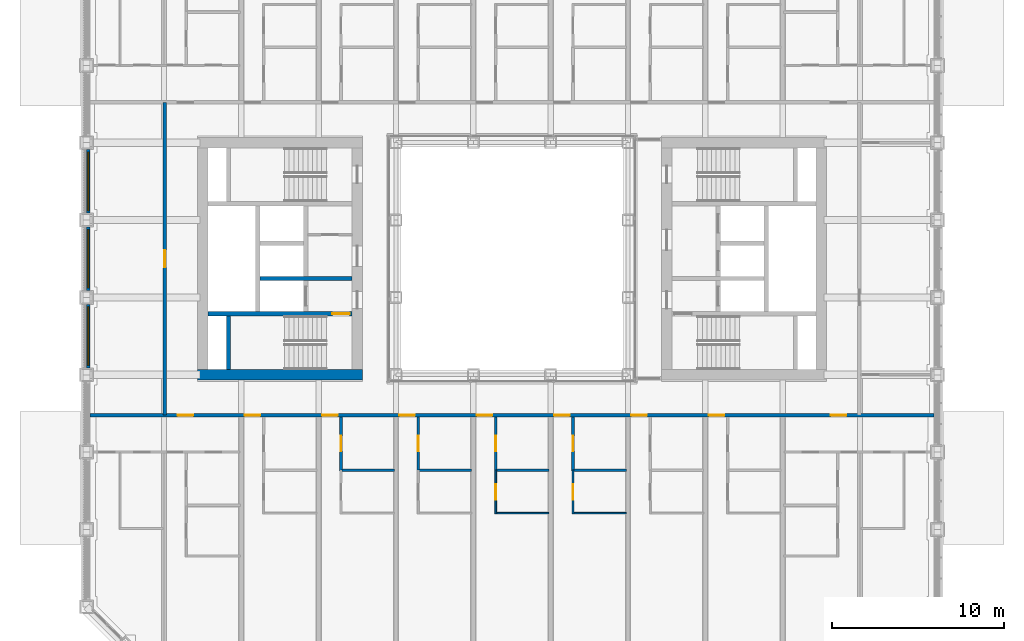
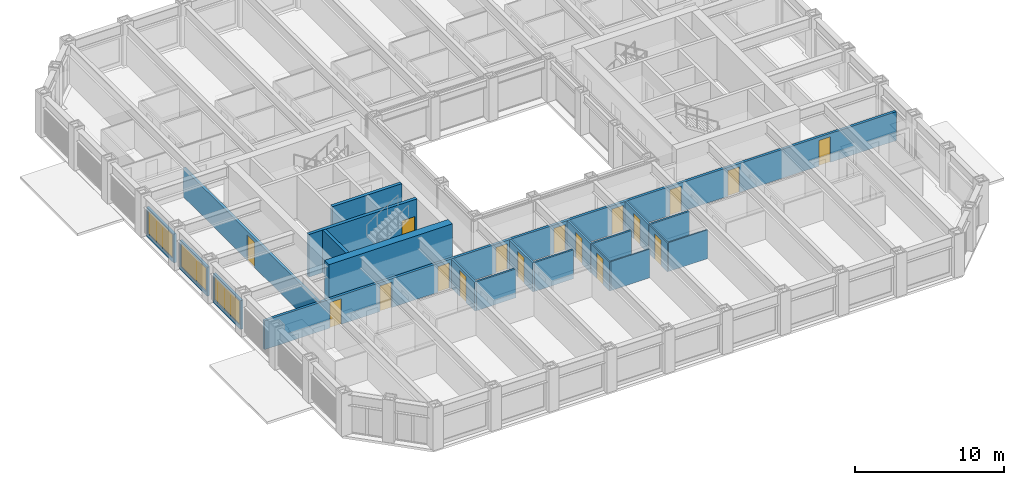
# One storey, part 13 of 24: 21 walls, 17 doors, 3 windows, 20 openings.
"""IFC4 building model written with IfcOpenShell, lengths in metres."""

from ifc_helpers import new_model, si_unit, direction, frame, frame_2d, origin, place, context, subcontext, project, spatial, rectangle, extrude, material, layer, layer_set, type_object, element, fill, save


model = new_model("IFC4")

# Units and contexts
model_context = context("Model", 3, precision=1e-05, world=origin(), true_north=direction((0.0, 1.0)))
body_context = subcontext(model_context, "Body", "Model", "MODEL_VIEW")
ifc_project = project(units=[si_unit("LENGTHUNIT", "METRE"), si_unit("AREAUNIT", "SQUARE_METRE"), si_unit("VOLUMEUNIT", "CUBIC_METRE"), si_unit("PLANEANGLEUNIT", "RADIAN"), si_unit("MASSUNIT", "GRAM", prefix="KILO")], contexts=[model_context])

# Site, building, storey
site_placement = place(None, origin())
site = spatial("IfcSite", under=ifc_project, at=site_placement, CompositionType="ELEMENT")
building_placement = place(site_placement, origin())
building = spatial("IfcBuilding", under=site, at=building_placement, Name="Msasa Ring Tower", CompositionType="ELEMENT")
storey_placement = place(building_placement, frame((0.0, 0.0, 26.5)))
storey = spatial("IfcBuildingStorey", under=building, at=storey_placement, Name="L05", CompositionType="ELEMENT", Elevation=26.5)

# Wall
ifc_material_1 = material(Name="Concrete C60/75", Category="concrete")
ifc_layer_1 = layer(ifc_material_1, 0.60009765625)
ifc_layer_set_1 = layer_set([ifc_layer_1], Name="CW1 CORE WALL 600")
wall_type_1 = type_object("IfcWallType", Name="CW1 CORE WALL 600", PredefinedType="SHEAR", material=ifc_layer_set_1)
wall_1_placement = place(storey_placement, frame((-8.699951171875, -6.75, 0.0), z_axis=(0.0, 0.0, 1.0), x_axis=(-1.0, 0.0, 0.0)))
element("IfcWall", 1, at=wall_1_placement, inside=storey, type_object=wall_type_1, Name="W core wall S L05", PredefinedType="SHEAR", context=body_context, shape_type="SweptSolid", body=[
    extrude(rectangle(XDim=9.60009765625, YDim=0.60009765625, at=frame_2d((4.800048828125, 0.0))), origin(), (0.0, 0.0, 1.0), 3.5),
])

# Wall, opening, door
ifc_material_2 = material(Name="Concrete C60/75", Category="concrete")
ifc_layer_2 = layer(ifc_material_2, 0.25)
ifc_layer_set_2 = layer_set([ifc_layer_2], Name="CW4 CORE INNER WALL 250")
wall_type_2 = type_object("IfcWallType", Name="CW4 CORE INNER WALL 250", PredefinedType="SHEAR", material=ifc_layer_set_2)
wall_2_placement = place(storey_placement, frame((-9.300048828125, -3.199951171875, 0.0), z_axis=(0.0, 0.0, 1.0), x_axis=(-1.0, 0.0, 0.0)))
wall_2 = element("IfcWall", 2, at=wall_2_placement, inside=storey, type_object=wall_type_2, Name="W core wall STAIRA L05", PredefinedType="SHEAR", context=body_context, shape_type="SweptSolid", body=[
    extrude(rectangle(XDim=8.39990234375, YDim=0.25, at=frame_2d((4.199951171875, 0.0))), origin(), (0.0, 0.0, 1.0), 3.5),
])
opening_1_placement = place(wall_2_placement, frame((0.14990234375, 0.0, 0.0)))
opening_1 = element("IfcOpeningElement", 3, at=opening_1_placement, cuts=wall_2, Name="Opening RA-047", PredefinedType="OPENING", context=body_context, shape_type="SweptSolid", body=[
    extrude(rectangle(XDim=1.0, YDim=2.10009765625, at=frame_2d((0.5, 1.050048828125))), frame((0.0, 0.135009765625, 0.0), z_axis=(0.0, -1.0, 0.0), x_axis=(1.0, 0.0, 0.0)), (0.0, 0.0, 1.0), 0.27001953125),
])
ifc_material_3 = material(Name="Timber door leaf in a steel frame", Category="steel")
door_type_1 = type_object("IfcDoorType", Name="D6 STAIR DOOR 1000x2100", OperationType="SINGLE_SWING_LEFT", PredefinedType="DOOR", material=ifc_material_3)
door_1_placement = place(opening_1_placement, origin())
door_1 = element("IfcDoor", 4, at=door_1_placement, inside=storey, type_object=door_type_1, Name="Door L05-WSTA", OperationType="SINGLE_SWING_LEFT", OverallHeight=2.10009765625, OverallWidth=1.0, PredefinedType="DOOR", context=body_context, shape_type="SweptSolid", body=[
    extrude(rectangle(XDim=1.0, YDim=2.10009765625, at=frame_2d((0.5, 1.050048828125))), frame((0.0, 0.02490234375, 0.0), z_axis=(0.0, -1.0, 0.0), x_axis=(1.0, 0.0, 0.0)), (0.0, 0.0, 1.0), 0.050048828125),
])
fill(opening_1, door_1)

# Walls
wall_3_placement = place(storey_placement, frame((-16.5, -6.449951171875, 0.0), z_axis=(0.0, 0.0, 1.0), x_axis=(0.0, 1.0, 0.0)))
element("IfcWall", 5, at=wall_3_placement, inside=storey, type_object=wall_type_2, Name="W core wall RISERA L05", PredefinedType="SHEAR", context=body_context, shape_type="SweptSolid", body=[
    extrude(rectangle(XDim=3.125, YDim=0.25, at=frame_2d((1.5625, 0.0))), origin(), (0.0, 0.0, 1.0), 3.5),
])
wall_4_placement = place(storey_placement, frame((-9.300048828125, -1.14990234375, 0.0), z_axis=(0.0, 0.0, 1.0), x_axis=(-1.0, 0.0, 0.0)))
element("IfcWall", 6, at=wall_4_placement, inside=storey, type_object=wall_type_2, Name="W core wall FFL L05", PredefinedType="SHEAR", context=body_context, shape_type="SweptSolid", body=[
    extrude(rectangle(XDim=5.375, YDim=0.25, at=frame_2d((2.6875, 0.0))), origin(), (0.0, 0.0, 1.0), 3.5),
])

# Wall, opening, window
ifc_material_4 = material(Name="Terracotta rainscreen on blockwork", Category="masonry")
ifc_layer_3 = layer(ifc_material_4, 0.199951171875)
ifc_layer_set_3 = layer_set([ifc_layer_3], Name="FW1 TERRACOTTA-LINED INFILL BAY WALL 200")
wall_type_3 = type_object("IfcWallType", Name="FW1 TERRACOTTA-LINED INFILL BAY WALL 200", PredefinedType="SOLIDWALL", material=ifc_layer_set_3)
wall_5_placement = place(storey_placement, frame((-24.64990234375, -6.344970703125, 0.0), z_axis=(0.0, 0.0, 1.0), x_axis=(0.0, 1.0, 0.0)))
wall_5 = element("IfcWall", 7, at=wall_5_placement, inside=storey, type_object=wall_type_3, Name="Infill bay wall W L05 36", PredefinedType="SOLIDWALL", context=body_context, shape_type="SweptSolid", body=[
    extrude(rectangle(XDim=3.68994140625, YDim=0.199951171875, at=frame_2d((1.844970703125, 0.0))), origin(), (0.0, 0.0, 1.0), 2.37890625),
])
opening_2_placement = place(wall_5_placement, frame((0.14501953125, 0.0, 0.300048828125)))
opening_2 = element("IfcOpeningElement", 8, at=opening_2_placement, cuts=wall_5, Name="Opening WN1", PredefinedType="OPENING", context=body_context, shape_type="SweptSolid", body=[
    extrude(rectangle(XDim=3.39990234375, YDim=1.928955078125, at=frame_2d((1.699951171875, 0.96435546875))), frame((0.0, 0.10986328125, 0.0), z_axis=(0.0, -1.0, 0.0), x_axis=(1.0, 0.0, 0.0)), (0.0, 0.0, 1.0), 0.219970703125),
])
ifc_material_5 = material(Name="Aluminium frame with clear glass", Category="aluminium")
window_type = type_object("IfcWindowType", Name="WN1 RESIDENCE WINDOW 3400x1929", PartitioningType="SINGLE_PANEL", PredefinedType="WINDOW", material=ifc_material_5)
window_1_placement = place(opening_2_placement, origin())
window_1 = element("IfcWindow", 9, at=window_1_placement, inside=storey, type_object=window_type, Name="Window W L05 36", OverallHeight=1.928955078125, OverallWidth=3.39990234375, PartitioningType="SINGLE_PANEL", PredefinedType="WINDOW", context=body_context, shape_type="SweptSolid", body=[
    extrude(rectangle(XDim=3.39990234375, YDim=1.928955078125, at=frame_2d((1.699951171875, 0.96435546875))), frame((0.0, 0.030029296875, 0.0), z_axis=(0.0, -1.0, 0.0), x_axis=(1.0, 0.0, 0.0)), (0.0, 0.0, 1.0), 0.06005859375),
])
fill(opening_2, window_1)

wall_6_placement = place(storey_placement, frame((-24.64990234375, -1.844970703125, 0.0), z_axis=(0.0, 0.0, 1.0), x_axis=(0.0, 1.0, 0.0)))
wall_6 = element("IfcWall", 10, at=wall_6_placement, inside=storey, type_object=wall_type_3, Name="Infill bay wall W L05 37", PredefinedType="SOLIDWALL", context=body_context, shape_type="SweptSolid", body=[
    extrude(rectangle(XDim=3.68994140625, YDim=0.199951171875, at=frame_2d((1.844970703125, 0.0))), origin(), (0.0, 0.0, 1.0), 2.37890625),
])
opening_3_placement = place(wall_6_placement, frame((0.14501953125, 0.0, 0.300048828125)))
opening_3 = element("IfcOpeningElement", 11, at=opening_3_placement, cuts=wall_6, Name="Opening WN1", PredefinedType="OPENING", context=body_context, shape_type="SweptSolid", body=[
    extrude(rectangle(XDim=3.39990234375, YDim=1.928955078125, at=frame_2d((1.699951171875, 0.96435546875))), frame((0.0, 0.10986328125, 0.0), z_axis=(0.0, -1.0, 0.0), x_axis=(1.0, 0.0, 0.0)), (0.0, 0.0, 1.0), 0.219970703125),
])
window_2_placement = place(opening_3_placement, origin())
window_2 = element("IfcWindow", 12, at=window_2_placement, inside=storey, type_object=window_type, Name="Window W L05 37", OverallHeight=1.928955078125, OverallWidth=3.39990234375, PartitioningType="SINGLE_PANEL", PredefinedType="WINDOW", context=body_context, shape_type="SweptSolid", body=[
    extrude(rectangle(XDim=3.39990234375, YDim=1.928955078125, at=frame_2d((1.699951171875, 0.96435546875))), frame((0.0, 0.030029296875, 0.0), z_axis=(0.0, -1.0, 0.0), x_axis=(1.0, 0.0, 0.0)), (0.0, 0.0, 1.0), 0.06005859375),
])
fill(opening_3, window_2)

wall_7_placement = place(storey_placement, frame((-24.64990234375, 2.655029296875, 0.0), z_axis=(0.0, 0.0, 1.0), x_axis=(0.0, 1.0, 0.0)))
wall_7 = element("IfcWall", 13, at=wall_7_placement, inside=storey, type_object=wall_type_3, Name="Infill bay wall W L05 38", PredefinedType="SOLIDWALL", context=body_context, shape_type="SweptSolid", body=[
    extrude(rectangle(XDim=3.68994140625, YDim=0.199951171875, at=frame_2d((1.844970703125, 0.0))), origin(), (0.0, 0.0, 1.0), 2.37890625),
])
opening_4_placement = place(wall_7_placement, frame((0.14501953125, 0.0, 0.300048828125)))
opening_4 = element("IfcOpeningElement", 14, at=opening_4_placement, cuts=wall_7, Name="Opening WN1", PredefinedType="OPENING", context=body_context, shape_type="SweptSolid", body=[
    extrude(rectangle(XDim=3.39990234375, YDim=1.928955078125, at=frame_2d((1.699951171875, 0.96435546875))), frame((0.0, 0.10986328125, 0.0), z_axis=(0.0, -1.0, 0.0), x_axis=(1.0, 0.0, 0.0)), (0.0, 0.0, 1.0), 0.219970703125),
])
window_3_placement = place(opening_4_placement, origin())
window_3 = element("IfcWindow", 15, at=window_3_placement, inside=storey, type_object=window_type, Name="Window W L05 38", OverallHeight=1.928955078125, OverallWidth=3.39990234375, PartitioningType="SINGLE_PANEL", PredefinedType="WINDOW", context=body_context, shape_type="SweptSolid", body=[
    extrude(rectangle(XDim=3.39990234375, YDim=1.928955078125, at=frame_2d((1.699951171875, 0.96435546875))), frame((0.0, 0.030029296875, 0.0), z_axis=(0.0, -1.0, 0.0), x_axis=(1.0, 0.0, 0.0)), (0.0, 0.0, 1.0), 0.06005859375),
])
fill(opening_4, window_3)

# Wall, openings, doors
ifc_material_6 = material(Name="Concrete blockwork", Category="masonry")
ifc_layer_4 = layer(ifc_material_6, 0.199951171875)
ifc_layer_set_4 = layer_set([ifc_layer_4], Name="PT1 CORRIDOR WALL 200")
wall_type_4 = type_object("IfcWallType", Name="PT1 CORRIDOR WALL 200", PredefinedType="PARTITIONING", material=ifc_layer_set_4)
wall_8_placement = place(storey_placement, frame((-24.550048828125, -9.10009765625, 0.0), z_axis=(0.0, 0.0, 1.0), x_axis=(1.0, 0.0, 0.0)))
wall_8 = element("IfcWall", 16, at=wall_8_placement, inside=storey, type_object=wall_type_4, Name="Corridor wall L05-CORRS0", PredefinedType="PARTITIONING", context=body_context, shape_type="SweptSolid", body=[
    extrude(rectangle(XDim=49.10009765625, YDim=0.199951171875, at=frame_2d((24.550048828125, 0.0))), origin(), (0.0, 0.0, 1.0), 2.373291015625),
])
opening_5_placement = place(wall_8_placement, frame((5.10009765625, 0.0, 0.0)))
opening_5 = element("IfcOpeningElement", 17, at=opening_5_placement, cuts=wall_8, Name="Opening RA-051", PredefinedType="OPENING", context=body_context, shape_type="SweptSolid", body=[
    extrude(rectangle(XDim=0.89990234375, YDim=2.10009765625, at=frame_2d((0.449951171875, 1.050048828125))), frame((0.0, 0.10986328125, 0.0), z_axis=(0.0, -1.0, 0.0), x_axis=(1.0, 0.0, 0.0)), (0.0, 0.0, 1.0), 0.219970703125),
])
opening_6_placement = place(wall_8_placement, frame((9.0, 0.0, 0.0)))
opening_6 = element("IfcOpeningElement", 18, at=opening_6_placement, cuts=wall_8, Name="Opening RA-052", PredefinedType="OPENING", context=body_context, shape_type="SweptSolid", body=[
    extrude(rectangle(XDim=0.89990234375, YDim=2.10009765625, at=frame_2d((0.449951171875, 1.050048828125))), frame((0.0, 0.10986328125, 0.0), z_axis=(0.0, -1.0, 0.0), x_axis=(1.0, 0.0, 0.0)), (0.0, 0.0, 1.0), 0.219970703125),
])
opening_7_placement = place(wall_8_placement, frame((13.5, 0.0, 0.0)))
opening_7 = element("IfcOpeningElement", 19, at=opening_7_placement, cuts=wall_8, Name="Opening RA-053", PredefinedType="OPENING", context=body_context, shape_type="SweptSolid", body=[
    extrude(rectangle(XDim=0.89990234375, YDim=2.10009765625, at=frame_2d((0.449951171875, 1.050048828125))), frame((0.0, 0.10986328125, 0.0), z_axis=(0.0, -1.0, 0.0), x_axis=(1.0, 0.0, 0.0)), (0.0, 0.0, 1.0), 0.219970703125),
])
opening_8_placement = place(wall_8_placement, frame((18.0, 0.0, 0.0)))
opening_8 = element("IfcOpeningElement", 20, at=opening_8_placement, cuts=wall_8, Name="Opening RA-054", PredefinedType="OPENING", context=body_context, shape_type="SweptSolid", body=[
    extrude(rectangle(XDim=0.89990234375, YDim=2.10009765625, at=frame_2d((0.449951171875, 1.050048828125))), frame((0.0, 0.10986328125, 0.0), z_axis=(0.0, -1.0, 0.0), x_axis=(1.0, 0.0, 0.0)), (0.0, 0.0, 1.0), 0.219970703125),
])
opening_9_placement = place(wall_8_placement, frame((22.5, 0.0, 0.0)))
opening_9 = element("IfcOpeningElement", 21, at=opening_9_placement, cuts=wall_8, Name="Opening RA-055", PredefinedType="OPENING", context=body_context, shape_type="SweptSolid", body=[
    extrude(rectangle(XDim=0.89990234375, YDim=2.10009765625, at=frame_2d((0.449951171875, 1.050048828125))), frame((0.0, 0.10986328125, 0.0), z_axis=(0.0, -1.0, 0.0), x_axis=(1.0, 0.0, 0.0)), (0.0, 0.0, 1.0), 0.219970703125),
])
opening_10_placement = place(wall_8_placement, frame((27.0, 0.0, 0.0)))
opening_10 = element("IfcOpeningElement", 22, at=opening_10_placement, cuts=wall_8, Name="Opening RA-056", PredefinedType="OPENING", context=body_context, shape_type="SweptSolid", body=[
    extrude(rectangle(XDim=0.89990234375, YDim=2.10009765625, at=frame_2d((0.449951171875, 1.050048828125))), frame((0.0, 0.10986328125, 0.0), z_axis=(0.0, -1.0, 0.0), x_axis=(1.0, 0.0, 0.0)), (0.0, 0.0, 1.0), 0.219970703125),
])
opening_11_placement = place(wall_8_placement, frame((31.5, 0.0, 0.0)))
opening_11 = element("IfcOpeningElement", 23, at=opening_11_placement, cuts=wall_8, Name="Opening RA-057", PredefinedType="OPENING", context=body_context, shape_type="SweptSolid", body=[
    extrude(rectangle(XDim=0.89990234375, YDim=2.10009765625, at=frame_2d((0.449951171875, 1.050048828125))), frame((0.0, 0.10986328125, 0.0), z_axis=(0.0, -1.0, 0.0), x_axis=(1.0, 0.0, 0.0)), (0.0, 0.0, 1.0), 0.219970703125),
])
opening_12_placement = place(wall_8_placement, frame((36.0, 0.0, 0.0)))
opening_12 = element("IfcOpeningElement", 24, at=opening_12_placement, cuts=wall_8, Name="Opening RA-058", PredefinedType="OPENING", context=body_context, shape_type="SweptSolid", body=[
    extrude(rectangle(XDim=0.89990234375, YDim=2.10009765625, at=frame_2d((0.449951171875, 1.050048828125))), frame((0.0, 0.10986328125, 0.0), z_axis=(0.0, -1.0, 0.0), x_axis=(1.0, 0.0, 0.0)), (0.0, 0.0, 1.0), 0.219970703125),
])
opening_13_placement = place(wall_8_placement, frame((43.10009765625, 0.0, 0.0)))
opening_13 = element("IfcOpeningElement", 25, at=opening_13_placement, cuts=wall_8, Name="Opening RA-059", PredefinedType="OPENING", context=body_context, shape_type="SweptSolid", body=[
    extrude(rectangle(XDim=0.89990234375, YDim=2.10009765625, at=frame_2d((0.449951171875, 1.050048828125))), frame((0.0, 0.10986328125, 0.0), z_axis=(0.0, -1.0, 0.0), x_axis=(1.0, 0.0, 0.0)), (0.0, 0.0, 1.0), 0.219970703125),
])
ifc_material_7 = material(Name="Timber door leaf in a steel frame", Category="steel")
door_type_2 = type_object("IfcDoorType", Name="D2 ENTRANCE DOOR 900x2100", OperationType="SINGLE_SWING_LEFT", PredefinedType="DOOR", material=ifc_material_7)
door_2_placement = place(opening_5_placement, origin())
door_2 = element("IfcDoor", 26, at=door_2_placement, inside=storey, type_object=door_type_2, Name="Door L05-US00", OperationType="SINGLE_SWING_LEFT", OverallHeight=2.10009765625, OverallWidth=0.89990234375, PredefinedType="DOOR", context=body_context, shape_type="SweptSolid", body=[
    extrude(rectangle(XDim=0.89990234375, YDim=2.10009765625, at=frame_2d((0.449951171875, 1.050048828125))), frame((0.0, 0.02490234375, 0.0), z_axis=(0.0, -1.0, 0.0), x_axis=(1.0, 0.0, 0.0)), (0.0, 0.0, 1.0), 0.050048828125),
])
fill(opening_5, door_2)
door_3_placement = place(opening_6_placement, origin())
door_3 = element("IfcDoor", 27, at=door_3_placement, inside=storey, type_object=door_type_2, Name="Door L05-US01", OperationType="SINGLE_SWING_LEFT", OverallHeight=2.10009765625, OverallWidth=0.89990234375, PredefinedType="DOOR", context=body_context, shape_type="SweptSolid", body=[
    extrude(rectangle(XDim=0.89990234375, YDim=2.10009765625, at=frame_2d((0.449951171875, 1.050048828125))), frame((0.0, 0.02490234375, 0.0), z_axis=(0.0, -1.0, 0.0), x_axis=(1.0, 0.0, 0.0)), (0.0, 0.0, 1.0), 0.050048828125),
])
fill(opening_6, door_3)
door_4_placement = place(opening_7_placement, origin())
door_4 = element("IfcDoor", 28, at=door_4_placement, inside=storey, type_object=door_type_2, Name="Door L05-US02", OperationType="SINGLE_SWING_LEFT", OverallHeight=2.10009765625, OverallWidth=0.89990234375, PredefinedType="DOOR", context=body_context, shape_type="SweptSolid", body=[
    extrude(rectangle(XDim=0.89990234375, YDim=2.10009765625, at=frame_2d((0.449951171875, 1.050048828125))), frame((0.0, 0.02490234375, 0.0), z_axis=(0.0, -1.0, 0.0), x_axis=(1.0, 0.0, 0.0)), (0.0, 0.0, 1.0), 0.050048828125),
])
fill(opening_7, door_4)
door_5_placement = place(opening_8_placement, origin())
door_5 = element("IfcDoor", 29, at=door_5_placement, inside=storey, type_object=door_type_2, Name="Door L05-US03", OperationType="SINGLE_SWING_LEFT", OverallHeight=2.10009765625, OverallWidth=0.89990234375, PredefinedType="DOOR", context=body_context, shape_type="SweptSolid", body=[
    extrude(rectangle(XDim=0.89990234375, YDim=2.10009765625, at=frame_2d((0.449951171875, 1.050048828125))), frame((0.0, 0.02490234375, 0.0), z_axis=(0.0, -1.0, 0.0), x_axis=(1.0, 0.0, 0.0)), (0.0, 0.0, 1.0), 0.050048828125),
])
fill(opening_8, door_5)
door_6_placement = place(opening_9_placement, origin())
door_6 = element("IfcDoor", 30, at=door_6_placement, inside=storey, type_object=door_type_2, Name="Door L05-US04", OperationType="SINGLE_SWING_LEFT", OverallHeight=2.10009765625, OverallWidth=0.89990234375, PredefinedType="DOOR", context=body_context, shape_type="SweptSolid", body=[
    extrude(rectangle(XDim=0.89990234375, YDim=2.10009765625, at=frame_2d((0.449951171875, 1.050048828125))), frame((0.0, 0.02490234375, 0.0), z_axis=(0.0, -1.0, 0.0), x_axis=(1.0, 0.0, 0.0)), (0.0, 0.0, 1.0), 0.050048828125),
])
fill(opening_9, door_6)
door_7_placement = place(opening_10_placement, origin())
door_7 = element("IfcDoor", 31, at=door_7_placement, inside=storey, type_object=door_type_2, Name="Door L05-US05", OperationType="SINGLE_SWING_RIGHT", OverallHeight=2.10009765625, OverallWidth=0.89990234375, PredefinedType="DOOR", context=body_context, shape_type="SweptSolid", body=[
    extrude(rectangle(XDim=0.89990234375, YDim=2.10009765625, at=frame_2d((0.449951171875, 1.050048828125))), frame((0.0, 0.02490234375, 0.0), z_axis=(0.0, -1.0, 0.0), x_axis=(1.0, 0.0, 0.0)), (0.0, 0.0, 1.0), 0.050048828125),
])
fill(opening_10, door_7)
door_8_placement = place(opening_11_placement, origin())
door_8 = element("IfcDoor", 32, at=door_8_placement, inside=storey, type_object=door_type_2, Name="Door L05-US06", OperationType="SINGLE_SWING_RIGHT", OverallHeight=2.10009765625, OverallWidth=0.89990234375, PredefinedType="DOOR", context=body_context, shape_type="SweptSolid", body=[
    extrude(rectangle(XDim=0.89990234375, YDim=2.10009765625, at=frame_2d((0.449951171875, 1.050048828125))), frame((0.0, 0.02490234375, 0.0), z_axis=(0.0, -1.0, 0.0), x_axis=(1.0, 0.0, 0.0)), (0.0, 0.0, 1.0), 0.050048828125),
])
fill(opening_11, door_8)
door_9_placement = place(opening_12_placement, origin())
door_9 = element("IfcDoor", 33, at=door_9_placement, inside=storey, type_object=door_type_2, Name="Door L05-US07", OperationType="SINGLE_SWING_RIGHT", OverallHeight=2.10009765625, OverallWidth=0.89990234375, PredefinedType="DOOR", context=body_context, shape_type="SweptSolid", body=[
    extrude(rectangle(XDim=0.89990234375, YDim=2.10009765625, at=frame_2d((0.449951171875, 1.050048828125))), frame((0.0, 0.02490234375, 0.0), z_axis=(0.0, -1.0, 0.0), x_axis=(1.0, 0.0, 0.0)), (0.0, 0.0, 1.0), 0.050048828125),
])
fill(opening_12, door_9)
door_10_placement = place(opening_13_placement, origin())
door_10 = element("IfcDoor", 34, at=door_10_placement, inside=storey, type_object=door_type_2, Name="Door L05-US08", OperationType="SINGLE_SWING_RIGHT", OverallHeight=2.10009765625, OverallWidth=0.89990234375, PredefinedType="DOOR", context=body_context, shape_type="SweptSolid", body=[
    extrude(rectangle(XDim=0.89990234375, YDim=2.10009765625, at=frame_2d((0.449951171875, 1.050048828125))), frame((0.0, 0.02490234375, 0.0), z_axis=(0.0, -1.0, 0.0), x_axis=(1.0, 0.0, 0.0)), (0.0, 0.0, 1.0), 0.050048828125),
])
fill(opening_13, door_10)

# Wall, opening, door
wall_9_placement = place(storey_placement, frame((-20.199951171875, -9.10009765625, 0.0), z_axis=(0.0, 0.0, 1.0), x_axis=(0.0, 1.0, 0.0)))
wall_9 = element("IfcWall", 35, at=wall_9_placement, inside=storey, type_object=wall_type_4, Name="Corridor wall L05-STRW", PredefinedType="PARTITIONING", context=body_context, shape_type="SweptSolid", body=[
    extrude(rectangle(XDim=18.2001953125, YDim=0.199951171875, at=frame_2d((9.10009765625, 0.0))), origin(), (0.0, 0.0, 1.0), 2.373291015625),
])
opening_14_placement = place(wall_9_placement, frame((8.60009765625, 0.0, 0.0)))
opening_14 = element("IfcOpeningElement", 36, at=opening_14_placement, cuts=wall_9, Name="Opening RA-043", PredefinedType="OPENING", context=body_context, shape_type="SweptSolid", body=[
    extrude(rectangle(XDim=1.0, YDim=2.10009765625, at=frame_2d((0.5, 1.050048828125))), frame((0.0, 0.10986328125, 0.0), z_axis=(0.0, -1.0, 0.0), x_axis=(1.0, 0.0, 0.0)), (0.0, 0.0, 1.0), 0.219970703125),
])
ifc_material_8 = material(Name="Timber door leaf in a steel frame", Category="steel")
door_type_3 = type_object("IfcDoorType", Name="D10 STORE DOOR 1000x2100", OperationType="SINGLE_SWING_LEFT", PredefinedType="DOOR", material=ifc_material_8)
door_11_placement = place(opening_14_placement, origin())
door_11 = element("IfcDoor", 37, at=door_11_placement, inside=storey, type_object=door_type_3, Name="Door L05-RSW", OperationType="SINGLE_SWING_LEFT", OverallHeight=2.10009765625, OverallWidth=1.0, PredefinedType="DOOR", context=body_context, shape_type="SweptSolid", body=[
    extrude(rectangle(XDim=1.0, YDim=2.10009765625, at=frame_2d((0.5, 1.050048828125))), frame((0.0, 0.02490234375, 0.0), z_axis=(0.0, -1.0, 0.0), x_axis=(1.0, 0.0, 0.0)), (0.0, 0.0, 1.0), 0.050048828125),
])
fill(opening_14, door_11)

# Wall
ifc_material_9 = material(Name="Gypsum board on steel studs", Category="steel")
ifc_layer_5 = layer(ifc_material_9, 0.10009765625)
ifc_layer_set_5 = layer_set([ifc_layer_5], Name="PT2 STUD PARTITION 100")
wall_type_5 = type_object("IfcWallType", Name="PT2 STUD PARTITION 100", PredefinedType="PARTITIONING", material=ifc_layer_set_5)
wall_10_placement = place(storey_placement, frame((-0.89990234375, -14.800048828125, 0.0), z_axis=(0.0, 0.0, 1.0), x_axis=(1.0, 0.0, 0.0)))
element("IfcWall", 38, at=wall_10_placement, inside=storey, type_object=wall_type_5, Name="Partition L05-US04KY", PredefinedType="PARTITIONING", context=body_context, shape_type="SweptSolid", body=[
    extrude(rectangle(XDim=3.0498046875, YDim=0.10009765625, at=frame_2d((1.52490234375, 0.0))), origin(), (0.0, 0.0, 1.0), 2.373291015625),
])

# Wall, opening, door
wall_11_placement = place(storey_placement, frame((-0.949951171875, -14.85009765625, 0.0), z_axis=(0.0, 0.0, 1.0), x_axis=(0.0, 1.0, 0.0)))
wall_11 = element("IfcWall", 39, at=wall_11_placement, inside=storey, type_object=wall_type_5, Name="Partition L05-US04KX", PredefinedType="PARTITIONING", context=body_context, shape_type="SweptSolid", body=[
    extrude(rectangle(XDim=2.550048828125, YDim=0.10009765625, at=frame_2d((1.27490234375, 0.0))), origin(), (0.0, 0.0, 1.0), 2.373291015625),
])
opening_15_placement = place(wall_11_placement, frame((0.840087890625, 0.0, 0.0)))
opening_15 = element("IfcOpeningElement", 40, at=opening_15_placement, cuts=wall_11, Name="Opening RA-080", PredefinedType="OPENING", context=body_context, shape_type="SweptSolid", body=[
    extrude(rectangle(XDim=0.89990234375, YDim=2.10009765625, at=frame_2d((0.449951171875, 1.050048828125))), frame((0.0, 0.06005859375, 0.0), z_axis=(0.0, -1.0, 0.0), x_axis=(1.0, 0.0, 0.0)), (0.0, 0.0, 1.0), 0.1201171875),
])
ifc_material_10 = material(Name="Timber door leaf in a steel frame", Category="steel")
door_type_4 = type_object("IfcDoorType", Name="D22 INTERNAL HALL DOOR 900x2100", OperationType="SINGLE_SWING_LEFT", PredefinedType="DOOR", material=ifc_material_10)
door_12_placement = place(opening_15_placement, origin())
door_12 = element("IfcDoor", 41, at=door_12_placement, inside=storey, type_object=door_type_4, Name="Door L05-US04K", OperationType="SINGLE_SWING_LEFT", OverallHeight=2.10009765625, OverallWidth=0.89990234375, PredefinedType="DOOR", context=body_context, shape_type="SweptSolid", body=[
    extrude(rectangle(XDim=0.89990234375, YDim=2.10009765625, at=frame_2d((0.449951171875, 1.050048828125))), frame((0.0, 0.02490234375, 0.0), z_axis=(0.0, -1.0, 0.0), x_axis=(1.0, 0.0, 0.0)), (0.0, 0.0, 1.0), 0.050048828125),
])
fill(opening_15, door_12)

# Wall
wall_12_placement = place(storey_placement, frame((3.60009765625, -14.800048828125, 0.0), z_axis=(0.0, 0.0, 1.0), x_axis=(1.0, 0.0, 0.0)))
element("IfcWall", 42, at=wall_12_placement, inside=storey, type_object=wall_type_5, Name="Partition L05-US05KY", PredefinedType="PARTITIONING", context=body_context, shape_type="SweptSolid", body=[
    extrude(rectangle(XDim=3.0498046875, YDim=0.10009765625, at=frame_2d((1.52490234375, 0.0))), origin(), (0.0, 0.0, 1.0), 2.373291015625),
])

# Wall, opening, door
wall_13_placement = place(storey_placement, frame((3.550048828125, -14.85009765625, 0.0), z_axis=(0.0, 0.0, 1.0), x_axis=(0.0, 1.0, 0.0)))
wall_13 = element("IfcWall", 43, at=wall_13_placement, inside=storey, type_object=wall_type_5, Name="Partition L05-US05KX", PredefinedType="PARTITIONING", context=body_context, shape_type="SweptSolid", body=[
    extrude(rectangle(XDim=2.550048828125, YDim=0.10009765625, at=frame_2d((1.27490234375, 0.0))), origin(), (0.0, 0.0, 1.0), 2.373291015625),
])
opening_16_placement = place(wall_13_placement, frame((0.840087890625, 0.0, 0.0)))
opening_16 = element("IfcOpeningElement", 44, at=opening_16_placement, cuts=wall_13, Name="Opening RA-081", PredefinedType="OPENING", context=body_context, shape_type="SweptSolid", body=[
    extrude(rectangle(XDim=0.89990234375, YDim=2.10009765625, at=frame_2d((0.449951171875, 1.050048828125))), frame((0.0, 0.06005859375, 0.0), z_axis=(0.0, -1.0, 0.0), x_axis=(1.0, 0.0, 0.0)), (0.0, 0.0, 1.0), 0.1201171875),
])
door_13_placement = place(opening_16_placement, origin())
door_13 = element("IfcDoor", 45, at=door_13_placement, inside=storey, type_object=door_type_4, Name="Door L05-US05K", OperationType="SINGLE_SWING_LEFT", OverallHeight=2.10009765625, OverallWidth=0.89990234375, PredefinedType="DOOR", context=body_context, shape_type="SweptSolid", body=[
    extrude(rectangle(XDim=0.89990234375, YDim=2.10009765625, at=frame_2d((0.449951171875, 1.050048828125))), frame((0.0, 0.02490234375, 0.0), z_axis=(0.0, -1.0, 0.0), x_axis=(1.0, 0.0, 0.0)), (0.0, 0.0, 1.0), 0.050048828125),
])
fill(opening_16, door_13)

ifc_material_11 = material(Name="Moisture-resistant board on steel studs with a concealed cistern and pipe void, tiled", Category="steel")
ifc_layer_6 = layer(ifc_material_11, 0.14990234375)
ifc_layer_set_6 = layer_set([ifc_layer_6], Name="PT4 BATHROOM WET WALL 150")
wall_type_6 = type_object("IfcWallType", Name="PT4 BATHROOM WET WALL 150", PredefinedType="PARTITIONING", material=ifc_layer_set_6)
wall_14_placement = place(storey_placement, frame((-9.949951171875, -12.35009765625, 0.0), z_axis=(0.0, 0.0, 1.0), x_axis=(0.0, 1.0, 0.0)))
wall_14 = element("IfcWall", 46, at=wall_14_placement, inside=storey, type_object=wall_type_6, Name="Partition L05-US02BX", PredefinedType="PARTITIONING", context=body_context, shape_type="SweptSolid", body=[
    extrude(rectangle(XDim=3.150146484375, YDim=0.14990234375, at=frame_2d((1.5751953125, 0.0))), origin(), (0.0, 0.0, 1.0), 2.373291015625),
])
opening_17_placement = place(wall_14_placement, frame((1.14990234375, 0.0, 0.0)))
opening_17 = element("IfcOpeningElement", 47, at=opening_17_placement, cuts=wall_14, Name="Opening RA-061", PredefinedType="OPENING", context=body_context, shape_type="SweptSolid", body=[
    extrude(rectangle(XDim=0.89990234375, YDim=2.10009765625, at=frame_2d((0.449951171875, 1.050048828125))), frame((0.0, 0.0849609375, 0.0), z_axis=(0.0, -1.0, 0.0), x_axis=(1.0, 0.0, 0.0)), (0.0, 0.0, 1.0), 0.169921875),
])
ifc_material_12 = material(Name="Timber door leaf in a steel frame", Category="steel")
door_type_5 = type_object("IfcDoorType", Name="D3 BATHROOM DOOR 900x2100", OperationType="SINGLE_SWING_LEFT", PredefinedType="DOOR", material=ifc_material_12)
door_14_placement = place(opening_17_placement, origin())
door_14 = element("IfcDoor", 48, at=door_14_placement, inside=storey, type_object=door_type_5, Name="Door L05-US02B", OperationType="SINGLE_SWING_LEFT", OverallHeight=2.10009765625, OverallWidth=0.89990234375, PredefinedType="DOOR", context=body_context, shape_type="SweptSolid", body=[
    extrude(rectangle(XDim=0.89990234375, YDim=2.10009765625, at=frame_2d((0.449951171875, 1.050048828125))), frame((0.0, 0.02490234375, 0.0), z_axis=(0.0, -1.0, 0.0), x_axis=(1.0, 0.0, 0.0)), (0.0, 0.0, 1.0), 0.050048828125),
])
fill(opening_17, door_14)

# Wall
wall_15_placement = place(storey_placement, frame((-9.89990234375, -12.300048828125, 0.0), z_axis=(0.0, 0.0, 1.0), x_axis=(1.0, 0.0, 0.0)))
element("IfcWall", 49, at=wall_15_placement, inside=storey, type_object=wall_type_6, Name="Partition L05-US02BY", PredefinedType="PARTITIONING", context=body_context, shape_type="SweptSolid", body=[
    extrude(rectangle(XDim=3.0498046875, YDim=0.14990234375, at=frame_2d((1.52490234375, 0.0))), origin(), (0.0, 0.0, 1.0), 2.373291015625),
])

# Wall, opening, door
wall_16_placement = place(storey_placement, frame((-5.449951171875, -12.35009765625, 0.0), z_axis=(0.0, 0.0, 1.0), x_axis=(0.0, 1.0, 0.0)))
wall_16 = element("IfcWall", 50, at=wall_16_placement, inside=storey, type_object=wall_type_6, Name="Partition L05-US03BX", PredefinedType="PARTITIONING", context=body_context, shape_type="SweptSolid", body=[
    extrude(rectangle(XDim=3.150146484375, YDim=0.14990234375, at=frame_2d((1.5751953125, 0.0))), origin(), (0.0, 0.0, 1.0), 2.373291015625),
])
opening_18_placement = place(wall_16_placement, frame((1.14990234375, 0.0, 0.0)))
opening_18 = element("IfcOpeningElement", 51, at=opening_18_placement, cuts=wall_16, Name="Opening RA-062", PredefinedType="OPENING", context=body_context, shape_type="SweptSolid", body=[
    extrude(rectangle(XDim=0.89990234375, YDim=2.10009765625, at=frame_2d((0.449951171875, 1.050048828125))), frame((0.0, 0.0849609375, 0.0), z_axis=(0.0, -1.0, 0.0), x_axis=(1.0, 0.0, 0.0)), (0.0, 0.0, 1.0), 0.169921875),
])
door_15_placement = place(opening_18_placement, origin())
door_15 = element("IfcDoor", 52, at=door_15_placement, inside=storey, type_object=door_type_5, Name="Door L05-US03B", OperationType="SINGLE_SWING_LEFT", OverallHeight=2.10009765625, OverallWidth=0.89990234375, PredefinedType="DOOR", context=body_context, shape_type="SweptSolid", body=[
    extrude(rectangle(XDim=0.89990234375, YDim=2.10009765625, at=frame_2d((0.449951171875, 1.050048828125))), frame((0.0, 0.02490234375, 0.0), z_axis=(0.0, -1.0, 0.0), x_axis=(1.0, 0.0, 0.0)), (0.0, 0.0, 1.0), 0.050048828125),
])
fill(opening_18, door_15)

# Wall
wall_17_placement = place(storey_placement, frame((-5.39990234375, -12.300048828125, 0.0), z_axis=(0.0, 0.0, 1.0), x_axis=(1.0, 0.0, 0.0)))
element("IfcWall", 53, at=wall_17_placement, inside=storey, type_object=wall_type_6, Name="Partition L05-US03BY", PredefinedType="PARTITIONING", context=body_context, shape_type="SweptSolid", body=[
    extrude(rectangle(XDim=3.0498046875, YDim=0.14990234375, at=frame_2d((1.52490234375, 0.0))), origin(), (0.0, 0.0, 1.0), 2.373291015625),
])

# Wall, opening, door
wall_18_placement = place(storey_placement, frame((-0.949951171875, -12.35009765625, 0.0), z_axis=(0.0, 0.0, 1.0), x_axis=(0.0, 1.0, 0.0)))
wall_18 = element("IfcWall", 54, at=wall_18_placement, inside=storey, type_object=wall_type_6, Name="Partition L05-US04BX", PredefinedType="PARTITIONING", context=body_context, shape_type="SweptSolid", body=[
    extrude(rectangle(XDim=3.150146484375, YDim=0.14990234375, at=frame_2d((1.5751953125, 0.0))), origin(), (0.0, 0.0, 1.0), 2.373291015625),
])
opening_19_placement = place(wall_18_placement, frame((1.14990234375, 0.0, 0.0)))
opening_19 = element("IfcOpeningElement", 55, at=opening_19_placement, cuts=wall_18, Name="Opening RA-063", PredefinedType="OPENING", context=body_context, shape_type="SweptSolid", body=[
    extrude(rectangle(XDim=0.89990234375, YDim=2.10009765625, at=frame_2d((0.449951171875, 1.050048828125))), frame((0.0, 0.0849609375, 0.0), z_axis=(0.0, -1.0, 0.0), x_axis=(1.0, 0.0, 0.0)), (0.0, 0.0, 1.0), 0.169921875),
])
door_16_placement = place(opening_19_placement, origin())
door_16 = element("IfcDoor", 56, at=door_16_placement, inside=storey, type_object=door_type_5, Name="Door L05-US04B", OperationType="SINGLE_SWING_LEFT", OverallHeight=2.10009765625, OverallWidth=0.89990234375, PredefinedType="DOOR", context=body_context, shape_type="SweptSolid", body=[
    extrude(rectangle(XDim=0.89990234375, YDim=2.10009765625, at=frame_2d((0.449951171875, 1.050048828125))), frame((0.0, 0.02490234375, 0.0), z_axis=(0.0, -1.0, 0.0), x_axis=(1.0, 0.0, 0.0)), (0.0, 0.0, 1.0), 0.050048828125),
])
fill(opening_19, door_16)

# Wall
wall_19_placement = place(storey_placement, frame((-0.89990234375, -12.300048828125, 0.0), z_axis=(0.0, 0.0, 1.0), x_axis=(1.0, 0.0, 0.0)))
element("IfcWall", 57, at=wall_19_placement, inside=storey, type_object=wall_type_6, Name="Partition L05-US04BY", PredefinedType="PARTITIONING", context=body_context, shape_type="SweptSolid", body=[
    extrude(rectangle(XDim=3.0498046875, YDim=0.14990234375, at=frame_2d((1.52490234375, 0.0))), origin(), (0.0, 0.0, 1.0), 2.373291015625),
])

# Wall, opening, door
wall_20_placement = place(storey_placement, frame((3.550048828125, -12.35009765625, 0.0), z_axis=(0.0, 0.0, 1.0), x_axis=(0.0, 1.0, 0.0)))
wall_20 = element("IfcWall", 58, at=wall_20_placement, inside=storey, type_object=wall_type_6, Name="Partition L05-US05BX", PredefinedType="PARTITIONING", context=body_context, shape_type="SweptSolid", body=[
    extrude(rectangle(XDim=3.150146484375, YDim=0.14990234375, at=frame_2d((1.5751953125, 0.0))), origin(), (0.0, 0.0, 1.0), 2.373291015625),
])
opening_20_placement = place(wall_20_placement, frame((1.14990234375, 0.0, 0.0)))
opening_20 = element("IfcOpeningElement", 59, at=opening_20_placement, cuts=wall_20, Name="Opening RA-064", PredefinedType="OPENING", context=body_context, shape_type="SweptSolid", body=[
    extrude(rectangle(XDim=0.89990234375, YDim=2.10009765625, at=frame_2d((0.449951171875, 1.050048828125))), frame((0.0, 0.0849609375, 0.0), z_axis=(0.0, -1.0, 0.0), x_axis=(1.0, 0.0, 0.0)), (0.0, 0.0, 1.0), 0.169921875),
])
door_17_placement = place(opening_20_placement, origin())
door_17 = element("IfcDoor", 60, at=door_17_placement, inside=storey, type_object=door_type_5, Name="Door L05-US05B", OperationType="SINGLE_SWING_LEFT", OverallHeight=2.10009765625, OverallWidth=0.89990234375, PredefinedType="DOOR", context=body_context, shape_type="SweptSolid", body=[
    extrude(rectangle(XDim=0.89990234375, YDim=2.10009765625, at=frame_2d((0.449951171875, 1.050048828125))), frame((0.0, 0.02490234375, 0.0), z_axis=(0.0, -1.0, 0.0), x_axis=(1.0, 0.0, 0.0)), (0.0, 0.0, 1.0), 0.050048828125),
])
fill(opening_20, door_17)

# Wall
wall_21_placement = place(storey_placement, frame((3.60009765625, -12.300048828125, 0.0), z_axis=(0.0, 0.0, 1.0), x_axis=(1.0, 0.0, 0.0)))
element("IfcWall", 61, at=wall_21_placement, inside=storey, type_object=wall_type_6, Name="Partition L05-US05BY", PredefinedType="PARTITIONING", context=body_context, shape_type="SweptSolid", body=[
    extrude(rectangle(XDim=3.0498046875, YDim=0.14990234375, at=frame_2d((1.52490234375, 0.0))), origin(), (0.0, 0.0, 1.0), 2.373291015625),
])

save(model, "model.ifc")
